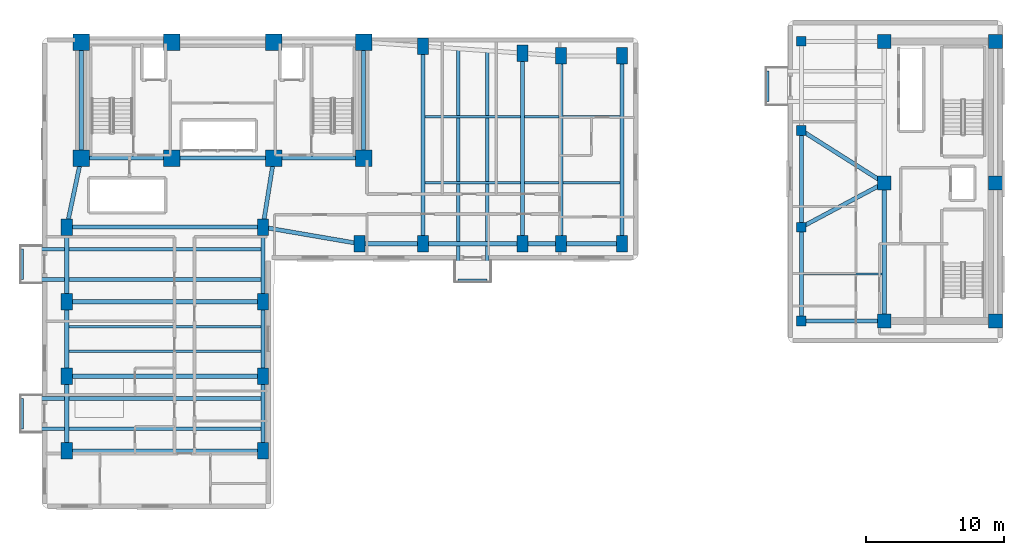
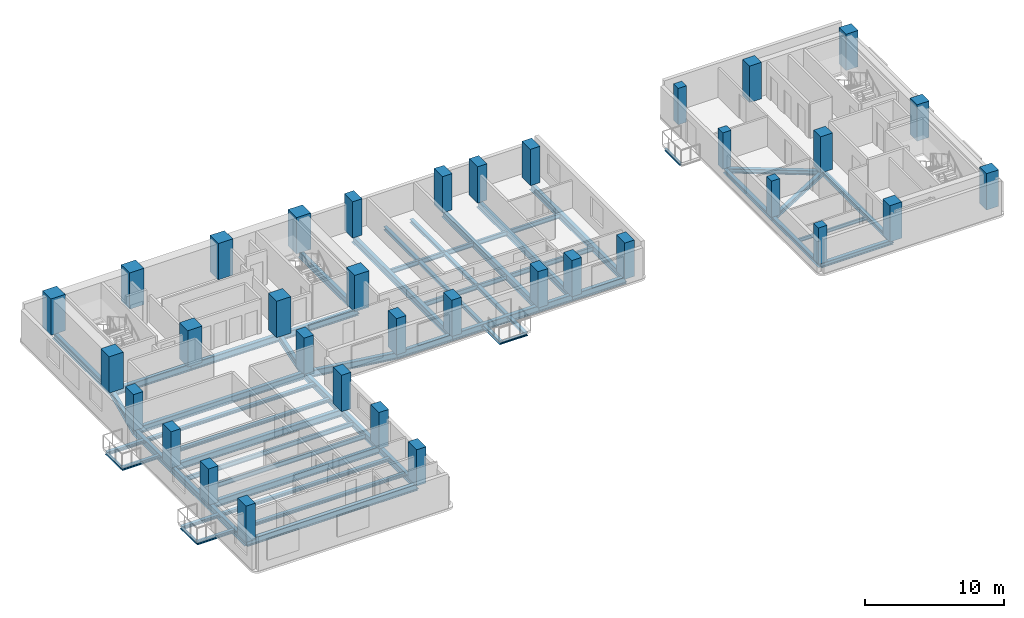
# One storey, part 1 of 9: 51 beams, 35 columns.
"""IFC4 building model written with IfcOpenShell, lengths in metres."""

from ifc_helpers import new_model, si_unit, direction, frame, origin, origin_2d, place, context, subcontext, project, spatial, rectangle, i_section, extrude, material, material_profile, profile_set, type_object, element, save


model = new_model("IFC4")

# Units and contexts
model_context = context("Model", 3, precision=1e-05, world=origin(), true_north=direction((0.0, 1.0)))
body_context = subcontext(model_context, "Body", "Model", "MODEL_VIEW")
ifc_project = project(units=[si_unit("LENGTHUNIT", "METRE"), si_unit("AREAUNIT", "SQUARE_METRE"), si_unit("VOLUMEUNIT", "CUBIC_METRE"), si_unit("PLANEANGLEUNIT", "RADIAN"), si_unit("MASSUNIT", "GRAM", prefix="KILO")], contexts=[model_context])

# Site, building, storey
site_placement = place(None, origin())
site = spatial("IfcSite", under=ifc_project, at=site_placement, CompositionType="ELEMENT")
building_placement = place(site_placement, origin())
building = spatial("IfcBuilding", under=site, at=building_placement, Name="Kuzgunbayir Cultural Tower", CompositionType="ELEMENT")
storey_placement = place(building_placement, frame((0.0, 0.0, 96.199951171875)))
storey = spatial("IfcBuildingStorey", under=building, at=storey_placement, Name="L27", CompositionType="ELEMENT", Elevation=96.199951171875)

# Columns
ifc_material_1 = material(Name="Concrete C60/75", Category="concrete")
ifc_material_profile_1 = material_profile(ifc_material_1, rectangle(XDim=1.199951171875, YDim=1.199951171875, at=origin_2d()), Name="RC 1200x1200")
ifc_profile_set_1 = profile_set([ifc_material_profile_1], Name="Concrete C60/75")
column_type_1 = type_object("IfcColumnType", Name="COL-CORE-1200", PredefinedType="COLUMN", material=ifc_profile_set_1)
for number, where, z_axis, x_axis, name in (
    (1, (6.449951171875, 33.800048828125, 0.0), (0.0, 0.0, 1.0), (1.0, 0.0, 0.0), "L27 T1 Core Boundary Column CC1-1"),
    (2, (13.0, 33.800048828125, 0.0), (0.0, 0.0, 1.0), (1.0, 0.0, 0.0), "L27 T1 Core Boundary Column CC1-2"),
    (3, (20.39990234375, 33.800048828125, 0.0), (0.0, 0.0, 1.0), (1.0, 0.0, 0.0), "L27 T1 Core Boundary Column CC1-3"),
    (4, (26.89990234375, 33.800048828125, 0.0), (0.0, 0.0, 1.0), (1.0, 0.0, 0.0), "L27 T1 Core Boundary Column CC1-4"),
    (5, (6.449951171875, 42.199951171875, 0.0), (0.0, 0.0, 1.0), (1.0, 0.0, 0.0), "L27 T1 Core Boundary Column CC1-5"),
    (6, (13.0, 42.199951171875, 0.0), (0.0, 0.0, 1.0), (1.0, 0.0, 0.0), "L27 T1 Core Boundary Column CC1-6"),
    (7, (20.39990234375, 42.199951171875, 0.0), (0.0, 0.0, 1.0), (1.0, 0.0, 0.0), "L27 T1 Core Boundary Column CC1-7"),
    (8, (26.89990234375, 42.199951171875, 0.0), (0.0, 0.0, 1.0), (1.0, 0.0, 0.0), "L27 T1 Core Boundary Column CC1-8"),
):
    element("IfcColumn", number, at=place(storey_placement, frame(where, z_axis=z_axis, x_axis=x_axis)), inside=storey, type_object=column_type_1, Name=name, PredefinedType="COLUMN", context=body_context, shape_type="SweptSolid", body=[
        extrude(rectangle(XDim=1.199951171875, YDim=1.199951171875, at=origin_2d()), origin(), (0.0, 0.0, 1.0), 3.199951171875),
    ])
ifc_material_profile_2 = material_profile(ifc_material_1, rectangle(XDim=0.800048828125, YDim=1.199951171875, at=origin_2d()), Name="RC 1200x800")
ifc_profile_set_2 = profile_set([ifc_material_profile_2], Name="Concrete C60/75")
column_type_2 = type_object("IfcColumnType", Name="COL-T1-1200x800", PredefinedType="COLUMN", material=ifc_profile_set_2)
for number, where, z_axis, x_axis, name in (
    (9, (5.39990234375, 12.60009765625, 0.0), (0.0, 0.0, 1.0), (1.0, 0.0, 0.0), "L27 Tower 1 Wing A Column T1A-W-1"),
    (10, (19.60009765625, 12.60009765625, 0.0), (0.0, 0.0, 1.0), (1.0, 0.0, 0.0), "L27 Tower 1 Wing A Column T1A-E-1"),
    (11, (5.39990234375, 18.0, 0.0), (0.0, 0.0, 1.0), (1.0, 0.0, 0.0), "L27 Tower 1 Wing A Column T1A-W-2"),
    (12, (19.60009765625, 18.0, 0.0), (0.0, 0.0, 1.0), (1.0, 0.0, 0.0), "L27 Tower 1 Wing A Column T1A-E-2"),
    (13, (5.39990234375, 23.39990234375, 0.0), (0.0, 0.0, 1.0), (1.0, 0.0, 0.0), "L27 Tower 1 Wing A Column T1A-W-3"),
    (14, (19.60009765625, 23.39990234375, 0.0), (0.0, 0.0, 1.0), (1.0, 0.0, 0.0), "L27 Tower 1 Wing A Column T1A-E-3"),
    (15, (5.39990234375, 28.800048828125, 0.0), (0.0, 0.0, 1.0), (1.0, 0.0, 0.0), "L27 Tower 1 Wing A Column T1A-W-4"),
    (16, (19.60009765625, 28.800048828125, 0.0), (0.0, 0.0, 1.0), (1.0, 0.0, 0.0), "L27 Tower 1 Wing A Column T1A-E-4"),
    (17, (26.60009765625, 27.60009765625, 0.0), (0.0, 0.0, 1.0), (1.0, 0.0, 0.0), "L27 Tower 1 Wing B Column T1B-1-1"),
    (18, (31.199951171875, 27.60009765625, 0.0), (0.0, 0.0, 1.0), (1.0, 0.0, 0.0), "L27 Tower 1 Wing B Column T1B-2-1"),
    (19, (31.199951171875, 41.89990234375, 0.0), (0.0, 0.0, 1.0), (1.0, 0.0, 0.0), "L27 Tower 1 Wing B Column T1B-2-2"),
    (20, (38.39990234375, 27.60009765625, 0.0), (0.0, 0.0, 1.0), (1.0, 0.0, 0.0), "L27 Tower 1 Wing B Column T1B-3-1"),
    (21, (38.39990234375, 41.39990234375, 0.0), (0.0, 0.0, 1.0), (1.0, 0.0, 0.0), "L27 Tower 1 Wing B Column T1B-3-2"),
    (22, (41.199951171875, 27.60009765625, 0.0), (0.0, 0.0, 1.0), (1.0, 0.0, 0.0), "L27 Tower 1 Wing B Column T1B-4-1"),
    (23, (41.199951171875, 41.199951171875, 0.0), (0.0, 0.0, 1.0), (1.0, 0.0, 0.0), "L27 Tower 1 Wing B Column T1B-4-2"),
    (24, (45.60009765625, 27.60009765625, 0.0), (0.0, 0.0, 1.0), (1.0, 0.0, 0.0), "L27 Tower 1 Wing B Column T1B-5-1"),
    (25, (45.60009765625, 41.199951171875, 0.0), (0.0, 0.0, 1.0), (1.0, 0.0, 0.0), "L27 Tower 1 Wing B Column T1B-5-2"),
):
    element("IfcColumn", number, at=place(storey_placement, frame(where, z_axis=z_axis, x_axis=x_axis)), inside=storey, type_object=column_type_2, Name=name, PredefinedType="COLUMN", context=body_context, shape_type="SweptSolid", body=[
        extrude(rectangle(XDim=0.800048828125, YDim=1.199951171875, at=origin_2d()), origin(), (0.0, 0.0, 1.0), 3.199951171875),
    ])
ifc_material_profile_3 = material_profile(ifc_material_1, rectangle(XDim=1.0, YDim=1.0, at=origin_2d()), Name="RC 1000x1000")
ifc_profile_set_3 = profile_set([ifc_material_profile_3], Name="Concrete C60/75")
column_type_3 = type_object("IfcColumnType", Name="COL-T2-1000", PredefinedType="COLUMN", material=ifc_profile_set_3)
for number, where, z_axis, x_axis, name in (
    (26, (64.60009765625, 22.0, 0.0), (0.0, 0.0, 1.0), (1.0, 0.0, 0.0), "L27 T2 Core Boundary Column CC2-1"),
    (27, (72.64990234375, 22.0, 0.0), (0.0, 0.0, 1.0), (1.0, 0.0, 0.0), "L27 T2 Core Boundary Column CC2-2"),
    (28, (64.60009765625, 32.0, 0.0), (0.0, 0.0, 1.0), (1.0, 0.0, 0.0), "L27 T2 Core Boundary Column CC2-3"),
    (29, (72.64990234375, 32.0, 0.0), (0.0, 0.0, 1.0), (1.0, 0.0, 0.0), "L27 T2 Core Boundary Column CC2-4"),
    (30, (64.60009765625, 42.25, 0.0), (0.0, 0.0, 1.0), (1.0, 0.0, 0.0), "L27 T2 Core Boundary Column CC2-5"),
    (31, (72.64990234375, 42.25, 0.0), (0.0, 0.0, 1.0), (1.0, 0.0, 0.0), "L27 T2 Core Boundary Column CC2-6"),
):
    element("IfcColumn", number, at=place(storey_placement, frame(where, z_axis=z_axis, x_axis=x_axis)), inside=storey, type_object=column_type_3, Name=name, PredefinedType="COLUMN", context=body_context, shape_type="SweptSolid", body=[
        extrude(rectangle(XDim=1.0, YDim=1.0, at=origin_2d()), origin(), (0.0, 0.0, 1.0), 3.199951171875),
    ])
ifc_material_profile_4 = material_profile(ifc_material_1, rectangle(XDim=0.699951171875, YDim=0.699951171875, at=origin_2d()), Name="RC 700x700")
ifc_profile_set_4 = profile_set([ifc_material_profile_4], Name="Concrete C60/75")
column_type_4 = type_object("IfcColumnType", Name="COL-T2-700", PredefinedType="COLUMN", material=ifc_profile_set_4)
for number, where, z_axis, x_axis, name in (
    (32, (58.60009765625, 22.0, 0.0), (0.0, 0.0, 1.0), (1.0, 0.0, 0.0), "L27 Companion Wing A Column T2A-W-1"),
    (33, (58.60009765625, 28.800048828125, 0.0), (0.0, 0.0, 1.0), (1.0, 0.0, 0.0), "L27 Companion Wing A Column T2A-W-2"),
    (34, (58.60009765625, 35.800048828125, 0.0), (0.0, 0.0, 1.0), (1.0, 0.0, 0.0), "L27 Companion Wing A Column T2A-W-3"),
    (35, (58.60009765625, 42.25, 0.0), (0.0, 0.0, 1.0), (1.0, 0.0, 0.0), "L27 Companion Wing A Column T2A-W-4"),
):
    element("IfcColumn", number, at=place(storey_placement, frame(where, z_axis=z_axis, x_axis=x_axis)), inside=storey, type_object=column_type_4, Name=name, PredefinedType="COLUMN", context=body_context, shape_type="SweptSolid", body=[
        extrude(rectangle(XDim=0.699951171875, YDim=0.699951171875, at=origin_2d()), origin(), (0.0, 0.0, 1.0), 3.199951171875),
    ])

# Beams
ifc_material_2 = material(Name="Steel S355J2", Category="steel")
ifc_material_profile_5 = material_profile(ifc_material_2, i_section(OverallWidth=0.280029296875, OverallDepth=0.280029296875, WebThickness=0.010498046875, FlangeThickness=0.01806640625, FilletRadius=0.02392578125, at=origin_2d()), Name="HEB 280")
ifc_profile_set_5 = profile_set([ifc_material_profile_5], Name="Steel S355J2")
beam_type_1 = type_object("IfcBeamType", Name="BM-BAL-HEB280", PredefinedType="BEAM", material=ifc_profile_set_5)
for number, where, z_axis, x_axis, name in (
    (36, (2.159912109375, 14.199951171875, -0.33984375), (1.0, 0.0, 0.0), (0.0, 1.0, 0.0), "L27 Balcony Outrigger Beam BAL-L27-WA1.1"),
    (37, (2.159912109375, 16.39990234375, -0.33984375), (1.0, 0.0, 0.0), (0.0, 1.0, 0.0), "L27 Balcony Outrigger Beam BAL-L27-WA1.2"),
    (38, (2.159912109375, 25.0, -0.33984375), (1.0, 0.0, 0.0), (0.0, 1.0, 0.0), "L27 Balcony Outrigger Beam BAL-L27-WA3.1"),
    (39, (2.159912109375, 27.199951171875, -0.33984375), (1.0, 0.0, 0.0), (0.0, 1.0, 0.0), "L27 Balcony Outrigger Beam BAL-L27-WA3.2"),
):
    element("IfcBeam", number, at=place(storey_placement, frame(where, z_axis=z_axis, x_axis=x_axis)), inside=storey, type_object=beam_type_1, Name=name, PredefinedType="BEAM", context=body_context, shape_type="SweptSolid", body=[
        extrude(i_section(OverallWidth=0.280029296875, OverallDepth=0.280029296875, WebThickness=0.010498046875, FlangeThickness=0.01806640625, FilletRadius=0.02392578125, at=origin_2d()), origin(), (0.0, 0.0, 1.0), 17.440185546875),
    ])
beam_1_placement = place(storey_placement, frame((33.75, 24.9599609375, -0.33984375), z_axis=(0.0, 1.0, 0.0), x_axis=(-1.0, 0.0, 0.0)))
element("IfcBeam", 40, at=beam_1_placement, inside=storey, type_object=beam_type_1, Name="L27 Balcony Outrigger Beam BAL-L27-WB2.1", PredefinedType="BEAM", context=body_context, shape_type="SweptSolid", body=[
    extrude(i_section(OverallWidth=0.280029296875, OverallDepth=0.280029296875, WebThickness=0.010498046875, FlangeThickness=0.01806640625, FilletRadius=0.02392578125, at=origin_2d()), origin(), (0.0, 0.0, 1.0), 16.760009765625),
])
beam_2_placement = place(storey_placement, frame((35.85009765625, 24.9599609375, -0.33984375), z_axis=(0.0, 1.0, 0.0), x_axis=(-1.0, 0.0, 0.0)))
element("IfcBeam", 41, at=beam_2_placement, inside=storey, type_object=beam_type_1, Name="L27 Balcony Outrigger Beam BAL-L27-WB2.2", PredefinedType="BEAM", context=body_context, shape_type="SweptSolid", body=[
    extrude(i_section(OverallWidth=0.280029296875, OverallDepth=0.280029296875, WebThickness=0.010498046875, FlangeThickness=0.01806640625, FilletRadius=0.02392578125, at=origin_2d()), origin(), (0.0, 0.0, 1.0), 16.6201171875),
])
ifc_material_profile_6 = material_profile(ifc_material_2, i_section(OverallWidth=0.199951171875, OverallDepth=0.199951171875, WebThickness=0.009033203125, FlangeThickness=0.014892578125, FilletRadius=0.01806640625, at=origin_2d()), Name="HEB 200")
ifc_profile_set_6 = profile_set([ifc_material_profile_6], Name="Steel S355J2")
beam_type_2 = type_object("IfcBeamType", Name="BM-CAN-HEB200", PredefinedType="BEAM", material=ifc_profile_set_6)
for number, where, z_axis, x_axis, name in (
    (42, (2.159912109375, 14.199951171875, -0.300048828125), (0.0, 1.0, 0.0), (-1.0, 0.0, 0.0), "L27 Balcony Edge Header BAL-L27-WA1"),
    (43, (2.159912109375, 25.0, -0.300048828125), (0.0, 1.0, 0.0), (-1.0, 0.0, 0.0), "L27 Balcony Edge Header BAL-L27-WA3"),
):
    element("IfcBeam", number, at=place(storey_placement, frame(where, z_axis=z_axis, x_axis=x_axis)), inside=storey, type_object=beam_type_2, Name=name, PredefinedType="BEAM", context=body_context, shape_type="SweptSolid", body=[
        extrude(i_section(OverallWidth=0.199951171875, OverallDepth=0.199951171875, WebThickness=0.009033203125, FlangeThickness=0.014892578125, FilletRadius=0.01806640625, at=origin_2d()), origin(), (0.0, 0.0, 1.0), 2.199951171875),
    ])
beam_3_placement = place(storey_placement, frame((33.75, 24.9599609375, -0.300048828125), z_axis=(1.0, 0.0, 0.0), x_axis=(0.0, 1.0, 0.0)))
element("IfcBeam", 44, at=beam_3_placement, inside=storey, type_object=beam_type_2, Name="L27 Balcony Edge Header BAL-L27-WB2", PredefinedType="BEAM", context=body_context, shape_type="SweptSolid", body=[
    extrude(i_section(OverallWidth=0.199951171875, OverallDepth=0.199951171875, WebThickness=0.009033203125, FlangeThickness=0.014892578125, FilletRadius=0.01806640625, at=origin_2d()), origin(), (0.0, 0.0, 1.0), 2.10009765625),
])
beam_4_placement = place(storey_placement, frame((56.159912109375, 37.89990234375, -0.300048828125), z_axis=(0.0, 1.0, 0.0), x_axis=(-1.0, 0.0, 0.0)))
element("IfcBeam", 45, at=beam_4_placement, inside=storey, type_object=beam_type_2, Name="L27 Companion Balcony Header BAL-L27-T2W3", PredefinedType="BEAM", context=body_context, shape_type="SweptSolid", body=[
    extrude(i_section(OverallWidth=0.199951171875, OverallDepth=0.199951171875, WebThickness=0.009033203125, FlangeThickness=0.014892578125, FilletRadius=0.01806640625, at=origin_2d()), origin(), (0.0, 0.0, 1.0), 2.2001953125),
])
ifc_material_profile_7 = material_profile(ifc_material_2, i_section(OverallWidth=0.300048828125, OverallDepth=0.39990234375, WebThickness=0.013427734375, FlangeThickness=0.02392578125, FilletRadius=0.027099609375, at=origin_2d()), Name="HEB 400")
ifc_profile_set_7 = profile_set([ifc_material_profile_7], Name="Steel S355J2")
beam_type_3 = type_object("IfcBeamType", Name="BM-EXT-HEB400", PredefinedType="BEAM", material=ifc_profile_set_7)
beam_5_placement = place(storey_placement, frame((58.60009765625, 22.0, -0.3798828125), z_axis=(0.0, 1.0, 0.0), x_axis=(-1.0, 0.0, 0.0)))
element("IfcBeam", 46, at=beam_5_placement, inside=storey, type_object=beam_type_3, Name="L27 Companion West Girder", PredefinedType="BEAM", context=body_context, shape_type="SweptSolid", body=[
    extrude(i_section(OverallWidth=0.300048828125, OverallDepth=0.39990234375, WebThickness=0.013427734375, FlangeThickness=0.02392578125, FilletRadius=0.027099609375, at=origin_2d()), origin(), (0.0, 0.0, 1.0), 6.800048828125),
])
beam_6_placement = place(storey_placement, frame((58.60009765625, 28.800048828125, -0.3798828125), z_axis=(0.0, 1.0, 0.0), x_axis=(-1.0, 0.0, 0.0)))
element("IfcBeam", 47, at=beam_6_placement, inside=storey, type_object=beam_type_3, Name="L27 Companion West Girder", PredefinedType="BEAM", context=body_context, shape_type="SweptSolid", body=[
    extrude(i_section(OverallWidth=0.300048828125, OverallDepth=0.39990234375, WebThickness=0.013427734375, FlangeThickness=0.02392578125, FilletRadius=0.027099609375, at=origin_2d()), origin(), (0.0, 0.0, 1.0), 7.0),
])
ifc_material_profile_8 = material_profile(ifc_material_2, i_section(OverallWidth=0.300048828125, OverallDepth=0.60009765625, WebThickness=0.015380859375, FlangeThickness=0.030029296875, FilletRadius=0.027099609375, at=origin_2d()), Name="HEB 600")
ifc_profile_set_8 = profile_set([ifc_material_profile_8], Name="Steel S355J2")
beam_type_4 = type_object("IfcBeamType", Name="BM-EXT-HEB600", PredefinedType="BEAM", material=ifc_profile_set_8)
for number, where, z_axis, x_axis, name in (
    (48, (5.39990234375, 12.60009765625, -0.47998046875), (0.0, 1.0, 0.0), (-1.0, 0.0, 0.0), "L27 Wing A West Girder 1"),
    (49, (19.60009765625, 12.60009765625, -0.47998046875), (0.0, 1.0, 0.0), (-1.0, 0.0, 0.0), "L27 Wing A East Girder 1"),
    (50, (5.39990234375, 18.0, -0.47998046875), (0.0, 1.0, 0.0), (-1.0, 0.0, 0.0), "L27 Wing A West Girder 2"),
    (51, (19.60009765625, 18.0, -0.47998046875), (0.0, 1.0, 0.0), (-1.0, 0.0, 0.0), "L27 Wing A East Girder 2"),
):
    element("IfcBeam", number, at=place(storey_placement, frame(where, z_axis=z_axis, x_axis=x_axis)), inside=storey, type_object=beam_type_4, Name=name, PredefinedType="BEAM", context=body_context, shape_type="SweptSolid", body=[
        extrude(i_section(OverallWidth=0.300048828125, OverallDepth=0.60009765625, WebThickness=0.015380859375, FlangeThickness=0.030029296875, FilletRadius=0.027099609375, at=origin_2d()), origin(), (0.0, 0.0, 1.0), 5.39990234375),
    ])
for number, where, z_axis, x_axis, name in (
    (52, (5.39990234375, 23.39990234375, -0.47998046875), (0.0, 1.0, 0.0), (-1.0, 0.0, 0.0), "L27 Wing A West Girder 3"),
    (53, (19.60009765625, 23.39990234375, -0.47998046875), (0.0, 1.0, 0.0), (-1.0, 0.0, 0.0), "L27 Wing A East Girder 3"),
):
    element("IfcBeam", number, at=place(storey_placement, frame(where, z_axis=z_axis, x_axis=x_axis)), inside=storey, type_object=beam_type_4, Name=name, PredefinedType="BEAM", context=body_context, shape_type="SweptSolid", body=[
        extrude(i_section(OverallWidth=0.300048828125, OverallDepth=0.60009765625, WebThickness=0.015380859375, FlangeThickness=0.030029296875, FilletRadius=0.027099609375, at=origin_2d()), origin(), (0.0, 0.0, 1.0), 5.400146484375),
    ])
beam_7_placement = place(storey_placement, frame((26.60009765625, 27.60009765625, -0.47998046875), z_axis=(1.0, 0.0, 0.0), x_axis=(0.0, 1.0, 0.0)))
element("IfcBeam", 54, at=beam_7_placement, inside=storey, type_object=beam_type_4, Name="L27 Wing B South Girder 1", PredefinedType="BEAM", context=body_context, shape_type="SweptSolid", body=[
    extrude(i_section(OverallWidth=0.300048828125, OverallDepth=0.60009765625, WebThickness=0.015380859375, FlangeThickness=0.030029296875, FilletRadius=0.027099609375, at=origin_2d()), origin(), (0.0, 0.0, 1.0), 4.599853515625),
])
beam_8_placement = place(storey_placement, frame((31.199951171875, 27.60009765625, -0.47998046875), z_axis=(1.0, 0.0, 0.0), x_axis=(0.0, 1.0, 0.0)))
element("IfcBeam", 55, at=beam_8_placement, inside=storey, type_object=beam_type_4, Name="L27 Wing B South Girder 2", PredefinedType="BEAM", context=body_context, shape_type="SweptSolid", body=[
    extrude(i_section(OverallWidth=0.300048828125, OverallDepth=0.60009765625, WebThickness=0.015380859375, FlangeThickness=0.030029296875, FilletRadius=0.027099609375, at=origin_2d()), origin(), (0.0, 0.0, 1.0), 7.199951171875),
])
beam_9_placement = place(storey_placement, frame((38.39990234375, 27.60009765625, -0.47998046875), z_axis=(1.0, 0.0, 0.0), x_axis=(0.0, 1.0, 0.0)))
element("IfcBeam", 56, at=beam_9_placement, inside=storey, type_object=beam_type_4, Name="L27 Wing B South Girder 3", PredefinedType="BEAM", context=body_context, shape_type="SweptSolid", body=[
    extrude(i_section(OverallWidth=0.300048828125, OverallDepth=0.60009765625, WebThickness=0.015380859375, FlangeThickness=0.030029296875, FilletRadius=0.027099609375, at=origin_2d()), origin(), (0.0, 0.0, 1.0), 2.800048828125),
])
beam_10_placement = place(storey_placement, frame((41.199951171875, 27.60009765625, -0.47998046875), z_axis=(1.0, 0.0, 0.0), x_axis=(0.0, 1.0, 0.0)))
element("IfcBeam", 57, at=beam_10_placement, inside=storey, type_object=beam_type_4, Name="L27 Wing B South Girder 4", PredefinedType="BEAM", context=body_context, shape_type="SweptSolid", body=[
    extrude(i_section(OverallWidth=0.300048828125, OverallDepth=0.60009765625, WebThickness=0.015380859375, FlangeThickness=0.030029296875, FilletRadius=0.027099609375, at=origin_2d()), origin(), (0.0, 0.0, 1.0), 4.400146484375),
])
ifc_material_profile_9 = material_profile(ifc_material_2, i_section(OverallWidth=0.300048828125, OverallDepth=0.39990234375, WebThickness=0.013427734375, FlangeThickness=0.02392578125, FilletRadius=0.027099609375, at=origin_2d()), Name="HEB 400")
ifc_profile_set_9 = profile_set([ifc_material_profile_9], Name="Steel S355J2")
beam_type_5 = type_object("IfcBeamType", Name="BM-GIR-HEB400", PredefinedType="BEAM", material=ifc_profile_set_9)
beam_11_placement = place(storey_placement, frame((58.60009765625, 22.0, -0.3798828125), z_axis=(1.0, 0.0, 0.0), x_axis=(0.0, 1.0, 0.0)))
element("IfcBeam", 58, at=beam_11_placement, inside=storey, type_object=beam_type_5, Name="L27 Companion Transverse Girder 1", PredefinedType="BEAM", context=body_context, shape_type="SweptSolid", body=[
    extrude(i_section(OverallWidth=0.300048828125, OverallDepth=0.39990234375, WebThickness=0.013427734375, FlangeThickness=0.02392578125, FilletRadius=0.027099609375, at=origin_2d()), origin(), (0.0, 0.0, 1.0), 6.0),
])
beam_12_placement = place(storey_placement, frame((58.60009765625, 28.800048828125, -0.3798828125), z_axis=(0.882355922736, 0.470582644828, 0.0), x_axis=(-0.470582644828, 0.882355922736, 0.0)))
element("IfcBeam", 59, at=beam_12_placement, inside=storey, type_object=beam_type_5, Name="L27 Companion Transverse Girder 2", PredefinedType="BEAM", context=body_context, shape_type="SweptSolid", body=[
    extrude(i_section(OverallWidth=0.300048828125, OverallDepth=0.39990234375, WebThickness=0.013427734375, FlangeThickness=0.02392578125, FilletRadius=0.027099609375, at=origin_2d()), origin(), (0.0, 0.0, 1.0), 6.800048828125),
])
beam_13_placement = place(storey_placement, frame((58.60009765625, 35.800048828125, -0.3798828125), z_axis=(0.844815967829, -0.535056988088, 0.0), x_axis=(0.535056988088, 0.844815967829, 0.0)))
element("IfcBeam", 60, at=beam_13_placement, inside=storey, type_object=beam_type_5, Name="L27 Companion Transverse Girder 3", PredefinedType="BEAM", context=body_context, shape_type="SweptSolid", body=[
    extrude(i_section(OverallWidth=0.300048828125, OverallDepth=0.39990234375, WebThickness=0.013427734375, FlangeThickness=0.02392578125, FilletRadius=0.027099609375, at=origin_2d()), origin(), (0.0, 0.0, 1.0), 7.10205078125),
])
beam_14_placement = place(storey_placement, frame((64.60009765625, 22.0, -0.3798828125), z_axis=(0.0, 1.0, 0.0), x_axis=(-1.0, 0.0, 0.0)))
element("IfcBeam", 61, at=beam_14_placement, inside=storey, type_object=beam_type_5, Name="L27 Companion Core West Girder 1", PredefinedType="BEAM", context=body_context, shape_type="SweptSolid", body=[
    extrude(i_section(OverallWidth=0.300048828125, OverallDepth=0.39990234375, WebThickness=0.013427734375, FlangeThickness=0.02392578125, FilletRadius=0.027099609375, at=origin_2d()), origin(), (0.0, 0.0, 1.0), 10.0),
])
ifc_material_profile_10 = material_profile(ifc_material_2, i_section(OverallWidth=0.300048828125, OverallDepth=0.60009765625, WebThickness=0.015380859375, FlangeThickness=0.030029296875, FilletRadius=0.027099609375, at=origin_2d()), Name="HEB 600")
ifc_profile_set_10 = profile_set([ifc_material_profile_10], Name="Steel S355J2")
beam_type_6 = type_object("IfcBeamType", Name="BM-GIR-HEB600", PredefinedType="BEAM", material=ifc_profile_set_10)
beam_15_placement = place(storey_placement, frame((6.449951171875, 33.800048828125, -0.47998046875), z_axis=(1.0, 0.0, 0.0), x_axis=(0.0, 1.0, 0.0)))
element("IfcBeam", 62, at=beam_15_placement, inside=storey, type_object=beam_type_6, Name="L27 Core South Girder 1", PredefinedType="BEAM", context=body_context, shape_type="SweptSolid", body=[
    extrude(i_section(OverallWidth=0.300048828125, OverallDepth=0.60009765625, WebThickness=0.015380859375, FlangeThickness=0.030029296875, FilletRadius=0.027099609375, at=origin_2d()), origin(), (0.0, 0.0, 1.0), 6.550048828125),
])
beam_16_placement = place(storey_placement, frame((13.0, 33.800048828125, -0.47998046875), z_axis=(1.0, 0.0, 0.0), x_axis=(0.0, 1.0, 0.0)))
element("IfcBeam", 63, at=beam_16_placement, inside=storey, type_object=beam_type_6, Name="L27 Core South Girder 2", PredefinedType="BEAM", context=body_context, shape_type="SweptSolid", body=[
    extrude(i_section(OverallWidth=0.300048828125, OverallDepth=0.60009765625, WebThickness=0.015380859375, FlangeThickness=0.030029296875, FilletRadius=0.027099609375, at=origin_2d()), origin(), (0.0, 0.0, 1.0), 7.39990234375),
])
beam_17_placement = place(storey_placement, frame((20.39990234375, 33.800048828125, -0.47998046875), z_axis=(1.0, 0.0, 0.0), x_axis=(0.0, 1.0, 0.0)))
element("IfcBeam", 64, at=beam_17_placement, inside=storey, type_object=beam_type_6, Name="L27 Core South Girder 3", PredefinedType="BEAM", context=body_context, shape_type="SweptSolid", body=[
    extrude(i_section(OverallWidth=0.300048828125, OverallDepth=0.60009765625, WebThickness=0.015380859375, FlangeThickness=0.030029296875, FilletRadius=0.027099609375, at=origin_2d()), origin(), (0.0, 0.0, 1.0), 6.5),
])
for number, where, z_axis, x_axis, name in (
    (65, (6.449951171875, 33.800048828125, -0.47998046875), (0.0, 1.0, 0.0), (-1.0, 0.0, 0.0), "L27 Core West Edge Girder"),
    (66, (26.89990234375, 33.800048828125, -0.47998046875), (0.0, 1.0, 0.0), (-1.0, 0.0, 0.0), "L27 Core East Edge Girder"),
):
    element("IfcBeam", number, at=place(storey_placement, frame(where, z_axis=z_axis, x_axis=x_axis)), inside=storey, type_object=beam_type_6, Name=name, PredefinedType="BEAM", context=body_context, shape_type="SweptSolid", body=[
        extrude(i_section(OverallWidth=0.300048828125, OverallDepth=0.60009765625, WebThickness=0.015380859375, FlangeThickness=0.030029296875, FilletRadius=0.027099609375, at=origin_2d()), origin(), (0.0, 0.0, 1.0), 8.39990234375),
    ])
for number, where, z_axis, x_axis, name in (
    (67, (5.39990234375, 12.60009765625, -0.47998046875), (1.0, 0.0, 0.0), (0.0, 1.0, 0.0), "L27 Wing A Transverse Girder 1"),
    (68, (5.39990234375, 18.0, -0.47998046875), (1.0, 0.0, 0.0), (0.0, 1.0, 0.0), "L27 Wing A Transverse Girder 2"),
    (69, (5.39990234375, 23.39990234375, -0.47998046875), (1.0, 0.0, 0.0), (0.0, 1.0, 0.0), "L27 Wing A Transverse Girder 3"),
    (70, (5.39990234375, 28.800048828125, -0.47998046875), (1.0, 0.0, 0.0), (0.0, 1.0, 0.0), "L27 Wing A Transverse Girder 4"),
):
    element("IfcBeam", number, at=place(storey_placement, frame(where, z_axis=z_axis, x_axis=x_axis)), inside=storey, type_object=beam_type_6, Name=name, PredefinedType="BEAM", context=body_context, shape_type="SweptSolid", body=[
        extrude(i_section(OverallWidth=0.300048828125, OverallDepth=0.60009765625, WebThickness=0.015380859375, FlangeThickness=0.030029296875, FilletRadius=0.027099609375, at=origin_2d()), origin(), (0.0, 0.0, 1.0), 14.2001953125),
    ])
beam_18_placement = place(storey_placement, frame((5.39990234375, 28.800048828125, -0.47998046875), z_axis=(0.205526387753, 0.978651574329, 0.0), x_axis=(-0.978651574329, 0.205526387753, 0.0)))
element("IfcBeam", 71, at=beam_18_placement, inside=storey, type_object=beam_type_6, Name="L27 Wing A West Core Floor Girder", PredefinedType="BEAM", context=body_context, shape_type="SweptSolid", body=[
    extrude(i_section(OverallWidth=0.300048828125, OverallDepth=0.60009765625, WebThickness=0.015380859375, FlangeThickness=0.030029296875, FilletRadius=0.027099609375, at=origin_2d()), origin(), (0.0, 0.0, 1.0), 5.109130859375),
])
beam_19_placement = place(storey_placement, frame((19.60009765625, 28.800048828125, -0.47998046875), z_axis=(0.157952891656, 0.987446648694, 0.0), x_axis=(-0.987446648694, 0.157952891656, 0.0)))
element("IfcBeam", 72, at=beam_19_placement, inside=storey, type_object=beam_type_6, Name="L27 Wing A East Core Floor Girder", PredefinedType="BEAM", context=body_context, shape_type="SweptSolid", body=[
    extrude(i_section(OverallWidth=0.300048828125, OverallDepth=0.60009765625, WebThickness=0.015380859375, FlangeThickness=0.030029296875, FilletRadius=0.027099609375, at=origin_2d()), origin(), (0.0, 0.0, 1.0), 5.0634765625),
])
beam_20_placement = place(storey_placement, frame((31.199951171875, 27.60009765625, -0.47998046875), z_axis=(0.0, 1.0, 0.0), x_axis=(-1.0, 0.0, 0.0)))
element("IfcBeam", 73, at=beam_20_placement, inside=storey, type_object=beam_type_6, Name="L27 Wing B Cross Girder 31", PredefinedType="BEAM", context=body_context, shape_type="SweptSolid", body=[
    extrude(i_section(OverallWidth=0.300048828125, OverallDepth=0.60009765625, WebThickness=0.015380859375, FlangeThickness=0.030029296875, FilletRadius=0.027099609375, at=origin_2d()), origin(), (0.0, 0.0, 1.0), 14.2998046875),
])
beam_21_placement = place(storey_placement, frame((38.39990234375, 27.60009765625, -0.47998046875), z_axis=(0.0, 1.0, 0.0), x_axis=(-1.0, 0.0, 0.0)))
element("IfcBeam", 74, at=beam_21_placement, inside=storey, type_object=beam_type_6, Name="L27 Wing B Cross Girder 38", PredefinedType="BEAM", context=body_context, shape_type="SweptSolid", body=[
    extrude(i_section(OverallWidth=0.300048828125, OverallDepth=0.60009765625, WebThickness=0.015380859375, FlangeThickness=0.030029296875, FilletRadius=0.027099609375, at=origin_2d()), origin(), (0.0, 0.0, 1.0), 13.7998046875),
])
for number, where, z_axis, x_axis, name in (
    (75, (41.199951171875, 27.60009765625, -0.47998046875), (0.0, 1.0, 0.0), (-1.0, 0.0, 0.0), "L27 Wing B Cross Girder 41"),
    (76, (45.60009765625, 27.60009765625, -0.47998046875), (0.0, 1.0, 0.0), (-1.0, 0.0, 0.0), "L27 Wing B Cross Girder 45"),
):
    element("IfcBeam", number, at=place(storey_placement, frame(where, z_axis=z_axis, x_axis=x_axis)), inside=storey, type_object=beam_type_6, Name=name, PredefinedType="BEAM", context=body_context, shape_type="SweptSolid", body=[
        extrude(i_section(OverallWidth=0.300048828125, OverallDepth=0.60009765625, WebThickness=0.015380859375, FlangeThickness=0.030029296875, FilletRadius=0.027099609375, at=origin_2d()), origin(), (0.0, 0.0, 1.0), 13.599853515625),
    ])
beam_22_placement = place(storey_placement, frame((19.60009765625, 28.800048828125, -0.47998046875), z_axis=(0.985623399742, -0.168957136221, 0.0), x_axis=(0.168957136221, 0.985623399742, 0.0)))
element("IfcBeam", 77, at=beam_22_placement, inside=storey, type_object=beam_type_6, Name="L27 Wing B Waist Tie Girder", PredefinedType="BEAM", context=body_context, shape_type="SweptSolid", body=[
    extrude(i_section(OverallWidth=0.300048828125, OverallDepth=0.60009765625, WebThickness=0.015380859375, FlangeThickness=0.030029296875, FilletRadius=0.027099609375, at=origin_2d()), origin(), (0.0, 0.0, 1.0), 7.10205078125),
])
ifc_material_profile_11 = material_profile(ifc_material_2, i_section(OverallWidth=0.14990234375, OverallDepth=0.300048828125, WebThickness=0.007080078125, FlangeThickness=0.0107421875, FilletRadius=0.014892578125, at=origin_2d()), Name="IPE 300")
ifc_profile_set_11 = profile_set([ifc_material_profile_11], Name="Steel S355J2")
beam_type_7 = type_object("IfcBeamType", Name="BM-JST-IPE300", PredefinedType="JOIST", material=ifc_profile_set_11)
beam_23_placement = place(storey_placement, frame((58.75, 25.39990234375, -0.329833984375), z_axis=(1.0, 0.0, 0.0), x_axis=(0.0, 1.0, 0.0)))
element("IfcBeam", 78, at=beam_23_placement, inside=storey, type_object=beam_type_7, Name="L27 Companion Joist", PredefinedType="JOIST", context=body_context, shape_type="SweptSolid", body=[
    extrude(i_section(OverallWidth=0.14990234375, OverallDepth=0.300048828125, WebThickness=0.007080078125, FlangeThickness=0.0107421875, FilletRadius=0.014892578125, at=origin_2d()), origin(), (0.0, 0.0, 1.0), 5.699951171875),
])
ifc_material_profile_12 = material_profile(ifc_material_2, i_section(OverallWidth=0.179931640625, OverallDepth=0.39990234375, WebThickness=0.008544921875, FlangeThickness=0.013427734375, FilletRadius=0.02099609375, at=origin_2d()), Name="IPE 400")
ifc_profile_set_12 = profile_set([ifc_material_profile_12], Name="Steel S355J2")
beam_type_8 = type_object("IfcBeamType", Name="BM-JST-IPE400", PredefinedType="JOIST", material=ifc_profile_set_12)
for number, where, z_axis, x_axis, name in (
    (79, (5.550048828125, 19.800048828125, -0.3798828125), (1.0, 0.0, 0.0), (0.0, 1.0, 0.0), "L27 Wing A Secondary Joist 3"),
    (80, (5.550048828125, 21.60009765625, -0.3798828125), (1.0, 0.0, 0.0), (0.0, 1.0, 0.0), "L27 Wing A Secondary Joist 4"),
):
    element("IfcBeam", number, at=place(storey_placement, frame(where, z_axis=z_axis, x_axis=x_axis)), inside=storey, type_object=beam_type_8, Name=name, PredefinedType="JOIST", context=body_context, shape_type="SweptSolid", body=[
        extrude(i_section(OverallWidth=0.179931640625, OverallDepth=0.39990234375, WebThickness=0.008544921875, FlangeThickness=0.013427734375, FilletRadius=0.02099609375, at=origin_2d()), origin(), (0.0, 0.0, 1.0), 13.89990234375),
    ])
for number, where, z_axis, x_axis, name in (
    (81, (31.35009765625, 32.0, -0.3798828125), (1.0, 0.0, 0.0), (0.0, 1.0, 0.0), "L27 Wing B Secondary Joist 1.1"),
    (82, (31.35009765625, 36.800048828125, -0.3798828125), (1.0, 0.0, 0.0), (0.0, 1.0, 0.0), "L27 Wing B Secondary Joist 1.2"),
):
    element("IfcBeam", number, at=place(storey_placement, frame(where, z_axis=z_axis, x_axis=x_axis)), inside=storey, type_object=beam_type_8, Name=name, PredefinedType="JOIST", context=body_context, shape_type="SweptSolid", body=[
        extrude(i_section(OverallWidth=0.179931640625, OverallDepth=0.39990234375, WebThickness=0.008544921875, FlangeThickness=0.013427734375, FilletRadius=0.02099609375, at=origin_2d()), origin(), (0.0, 0.0, 1.0), 6.89990234375),
    ])
for number, where, z_axis, x_axis, name in (
    (83, (38.550048828125, 32.0, -0.3798828125), (1.0, 0.0, 0.0), (0.0, 1.0, 0.0), "L27 Wing B Secondary Joist 2.1"),
    (84, (38.550048828125, 36.800048828125, -0.3798828125), (1.0, 0.0, 0.0), (0.0, 1.0, 0.0), "L27 Wing B Secondary Joist 2.2"),
):
    element("IfcBeam", number, at=place(storey_placement, frame(where, z_axis=z_axis, x_axis=x_axis)), inside=storey, type_object=beam_type_8, Name=name, PredefinedType="JOIST", context=body_context, shape_type="SweptSolid", body=[
        extrude(i_section(OverallWidth=0.179931640625, OverallDepth=0.39990234375, WebThickness=0.008544921875, FlangeThickness=0.013427734375, FilletRadius=0.02099609375, at=origin_2d()), origin(), (0.0, 0.0, 1.0), 2.5),
    ])
for number, where, z_axis, x_axis, name in (
    (85, (41.35009765625, 32.0, -0.3798828125), (1.0, 0.0, 0.0), (0.0, 1.0, 0.0), "L27 Wing B Secondary Joist 3.1"),
    (86, (41.35009765625, 36.800048828125, -0.3798828125), (1.0, 0.0, 0.0), (0.0, 1.0, 0.0), "L27 Wing B Secondary Joist 3.2"),
):
    element("IfcBeam", number, at=place(storey_placement, frame(where, z_axis=z_axis, x_axis=x_axis)), inside=storey, type_object=beam_type_8, Name=name, PredefinedType="JOIST", context=body_context, shape_type="SweptSolid", body=[
        extrude(i_section(OverallWidth=0.179931640625, OverallDepth=0.39990234375, WebThickness=0.008544921875, FlangeThickness=0.013427734375, FilletRadius=0.02099609375, at=origin_2d()), origin(), (0.0, 0.0, 1.0), 4.099853515625),
    ])

save(model, "model.ifc")
